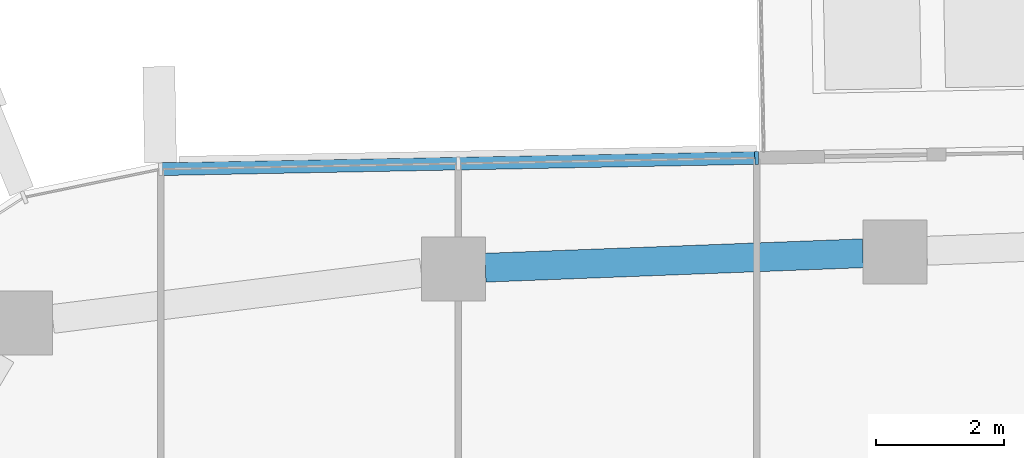
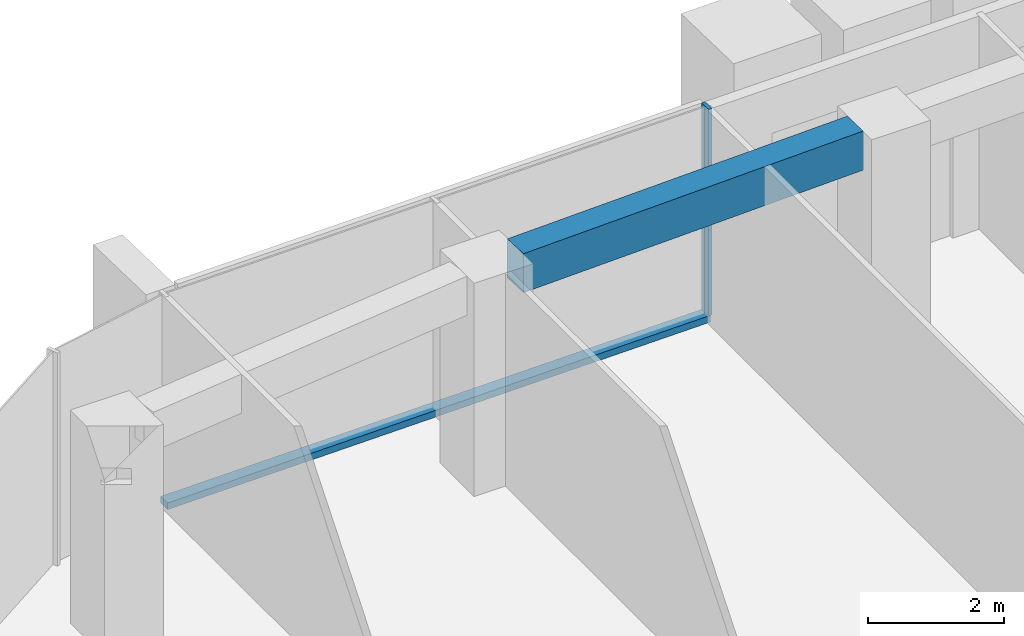
# One storey, part 7 of 24: 2 members, 1 beam, 1 element without a shape of its own.
"""IFC4 building model written with IfcOpenShell, lengths in metres."""

from ifc_helpers import new_model, si_unit, direction, frame, origin, origin_2d, place, context, subcontext, project, spatial, rectangle, extrude, material, layer, layer_set, material_profile, profile_set, type_object, element, aggregate, save


model = new_model("IFC4")

# Units and contexts
model_context = context("Model", 3, precision=1e-05, world=origin(), true_north=direction((0.0, 1.0)))
body_context = subcontext(model_context, "Body", "Model", "MODEL_VIEW")
ifc_project = project(units=[si_unit("LENGTHUNIT", "METRE"), si_unit("AREAUNIT", "SQUARE_METRE"), si_unit("VOLUMEUNIT", "CUBIC_METRE"), si_unit("PLANEANGLEUNIT", "RADIAN"), si_unit("MASSUNIT", "GRAM", prefix="KILO")], contexts=[model_context])

# Site, building, storey
site_placement = place(None, origin())
site = spatial("IfcSite", under=ifc_project, at=site_placement, CompositionType="ELEMENT")
building_placement = place(site_placement, origin())
building = spatial("IfcBuilding", under=site, at=building_placement, Name="Dongbaek Canopy Tower", CompositionType="ELEMENT")
storey_placement = place(building_placement, frame((0.0, 0.0, 294.199951171875)))
storey = spatial("IfcBuildingStorey", under=building, at=storey_placement, Name="L62", CompositionType="ELEMENT", Elevation=294.199951171875)

# Curtain wall, members
ifc_material_1 = material(Name="Aluminium 6063-T6 pale anodised", Category="aluminium")
ifc_layer = layer(ifc_material_1, 0.199951171875)
ifc_layer_set = layer_set([ifc_layer], Name="CW-1 unitised tower curtain wall")
curtain_wall_type = type_object("IfcCurtainWallType", Name="CW-1 unitised tower curtain wall", PredefinedType="NOTDEFINED", material=ifc_layer_set)
curtain_wall_placement = place(storey_placement, origin())
curtain_wall = element("IfcCurtainWall", 1, at=curtain_wall_placement, inside=storey, type_object=curtain_wall_type, Name="CW-1 curtain wall F1.1", PredefinedType="NOTDEFINED")
ifc_material_2 = material(Name="Aluminium 6063-T6 pale anodised", Category="aluminium")
ifc_material_profile_1 = material_profile(ifc_material_2, rectangle(XDim=0.199951171875, YDim=0.06005859375, at=origin_2d()), Name="CW-1 mullion 60 x 200")
ifc_profile_set_1 = profile_set([ifc_material_profile_1], Name="Aluminium 6063-T6 pale anodised")
member_type_1 = type_object("IfcMemberType", Name="CW-1 mullion 60 x 200", PredefinedType="MULLION", material=ifc_profile_set_1)
member_1_placement = place(storey_placement, frame((-3.574951171875, 28.896728515625, 0.1201171875), z_axis=(0.0, 0.0, 1.0), x_axis=(-0.018905076744, 0.999821283067, 0.0)))
member_1 = element("IfcMember", 2, at=member_1_placement, type_object=member_type_1, Name="CW-1 mullion F1.1.1", PredefinedType="MULLION", context=body_context, shape_type="SweptSolid", body=[
    extrude(rectangle(XDim=0.199951171875, YDim=0.06005859375, at=origin_2d()), origin(), (0.0, 0.0, 1.0), 3.699951171875),
])
ifc_material_3 = material(Name="Aluminium 6063-T6 pale anodised", Category="aluminium")
ifc_material_profile_2 = material_profile(ifc_material_3, rectangle(XDim=0.199951171875, YDim=0.1201171875, at=origin_2d()), Name="CW-1 transom 120 x 200")
ifc_profile_set_2 = profile_set([ifc_material_profile_2], Name="Aluminium 6063-T6 pale anodised")
member_type_2 = type_object("IfcMemberType", Name="CW-1 transom 120 x 200", PredefinedType="USERDEFINED", material=ifc_profile_set_2)
member_2_placement = place(storey_placement, frame((-3.574951171875, 28.896728515625, 0.06005859375), z_axis=(-0.999821440604, -0.018896743332, 0.0), x_axis=(0.018896743332, -0.999821440604, 0.0)))
member_2 = element("IfcMember", 3, at=member_2_placement, type_object=member_type_2, Name="CW-1 transom F1.1.1", ObjectType="TRANSOM", PredefinedType="USERDEFINED", context=body_context, shape_type="SweptSolid", body=[
    extrude(rectangle(XDim=0.199951171875, YDim=0.1201171875, at=origin_2d()), origin(), (0.0, 0.0, 1.0), 9.30224609375),
])
aggregate(curtain_wall, [member_1, member_2])

# Beam
ifc_material_4 = material(Name="Concrete C60", Category="concrete")
ifc_material_profile_3 = material_profile(ifc_material_4, rectangle(XDim=0.449951171875, YDim=0.699951171875, at=origin_2d()), Name="RC EDGE BEAM 450x700 C60")
ifc_profile_set_3 = profile_set([ifc_material_profile_3], Name="Concrete C60")
beam_type = type_object("IfcBeamType", Name="RC EDGE BEAM 450x700 C60", PredefinedType="BEAM", material=ifc_profile_set_3)
beam_placement = place(storey_placement, frame((-7.80908203125, 27.18310546875, 3.469970703125), z_axis=(0.999267644391, 0.038264538061, 0.0), x_axis=(-0.038264538061, 0.999267644391, 0.0)))
element("IfcBeam", 4, at=beam_placement, inside=storey, type_object=beam_type, Name="EDGEBEAM:L62:14", PredefinedType="BEAM", context=body_context, shape_type="SweptSolid", body=[
    extrude(rectangle(XDim=0.449951171875, YDim=0.699951171875, at=origin_2d()), origin(), (0.0, 0.0, 1.0), 5.8955078125),
])

save(model, "model.ifc")
